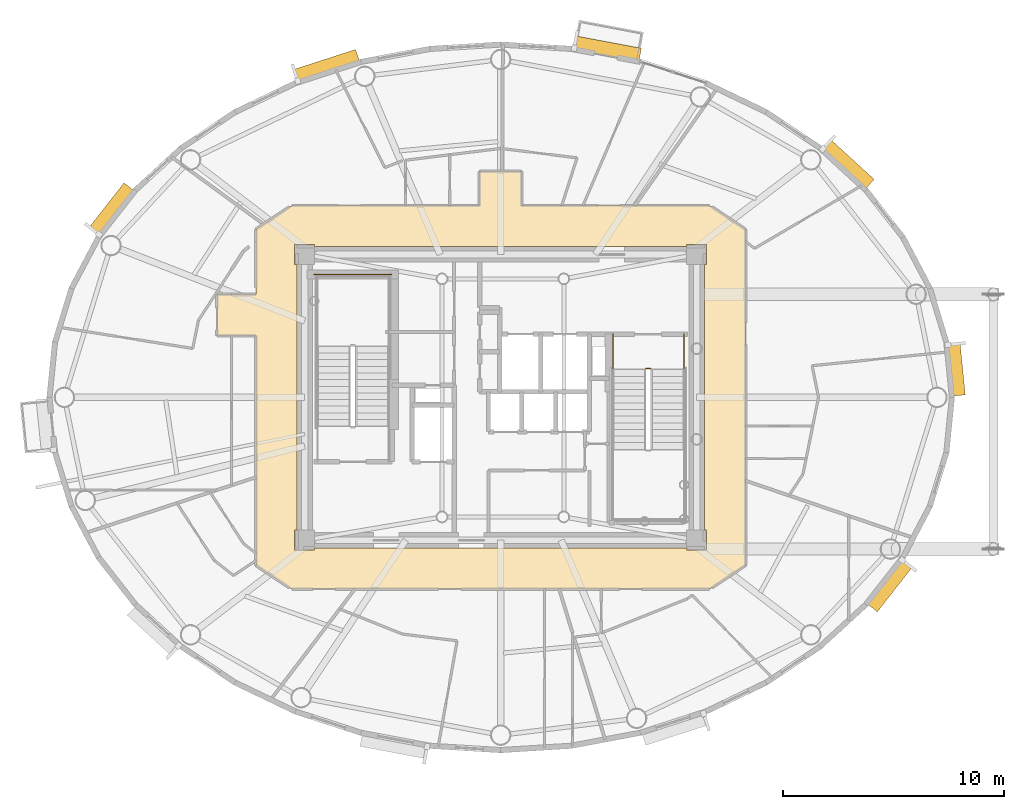
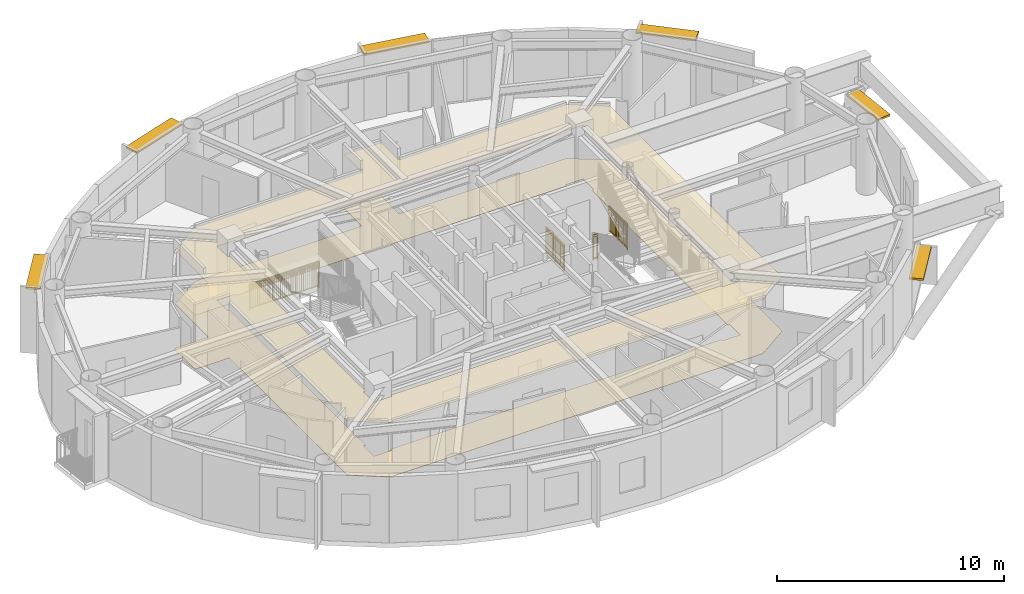
# One storey, part 16 of 17: 6 shading devices, 4 railings, 2 coverings.
"""IFC4 building model written with IfcOpenShell, lengths in metres."""

from ifc_helpers import new_model, si_unit, direction, frame, origin, origin_2d, place, context, subcontext, project, spatial, polyline, rectangle, outline, extrude, source, transform, mapped, material, layer, layer_set, type_object, element, save


model = new_model("IFC4")

# Units and contexts
model_context = context("Model", 3, precision=1e-05, world=origin(), true_north=direction((0.0, 1.0)))
body_context = subcontext(model_context, "Body", "Model", "MODEL_VIEW")
ifc_project = project(units=[si_unit("LENGTHUNIT", "METRE"), si_unit("AREAUNIT", "SQUARE_METRE"), si_unit("VOLUMEUNIT", "CUBIC_METRE"), si_unit("PLANEANGLEUNIT", "RADIAN"), si_unit("MASSUNIT", "GRAM", prefix="KILO")], contexts=[model_context])

# Site, building, storey
site_placement = place(None, origin())
site = spatial("IfcSite", under=ifc_project, at=site_placement, CompositionType="ELEMENT")
building_placement = place(site_placement, origin())
building = spatial("IfcBuilding", under=site, at=building_placement, Name="Linh Dai School and Residence Tower", CompositionType="ELEMENT")
storey_placement = place(building_placement, frame((0.0, 0.0, 335.39990234375)))
storey = spatial("IfcBuildingStorey", under=building, at=storey_placement, Name="L83", CompositionType="ELEMENT", Elevation=335.39990234375)

# Coverings
ifc_material_1 = material(Name="Mineral Fibre Acoustic Suspended Ceiling", Category="masonry")
ifc_layer_1 = layer(ifc_material_1, 0.02001953125)
ifc_layer_set_1 = layer_set([ifc_layer_1], Name="Mineral Fibre Acoustic Suspended Ceiling")
covering_type_1 = type_object("IfcCoveringType", Name="COV-CEIL-AC-20", PredefinedType="CEILING", material=ifc_layer_set_1)
covering_1_placement = place(storey_placement, frame((0.0, 0.0, 2.900146484375)))
element("IfcCovering", 1, at=covering_1_placement, inside=storey, type_object=covering_type_1, Name="L83 Residential Floor Corridor Suspended Ceiling", PredefinedType="CEILING", context=body_context, shape_type="SweptSolid", body=[
    extrude(outline(polyline([(23.199951171875, 31.64990234375), (24.949951171875, 31.64990234375), (24.949951171875, 34.58251953125), (26.458740234375, 35.591796875), (26.580078125, 35.64990234375), (35.050048828125, 35.64990234375), (35.050048828125, 37.199951171875), (36.949951171875, 37.199951171875), (36.949951171875, 35.64990234375), (45.419921875, 35.64990234375), (45.541259765625, 35.591796875), (47.050048828125, 34.58251953125), (47.050048828125, 19.41748046875), (45.541259765625, 18.408203125), (45.419921875, 18.35009765625), (26.580078125, 18.35009765625), (26.458740234375, 18.408203125), (24.949951171875, 19.41748046875), (24.949951171875, 29.800048828125), (23.199951171875, 29.800048828125), (23.199951171875, 31.64990234375)]), holes=[polyline([(27.60009765625, 33.800048828125), (27.60009765625, 33.89990234375), (26.699951171875, 33.89990234375), (26.699951171875, 33.0), (26.800048828125, 33.0), (26.800048828125, 21.0), (26.699951171875, 21.0), (26.699951171875, 20.10009765625), (27.60009765625, 20.10009765625), (27.60009765625, 20.199951171875), (44.39990234375, 20.199951171875), (44.39990234375, 20.10009765625), (45.300048828125, 20.10009765625), (45.300048828125, 21.0), (45.199951171875, 21.0), (45.199951171875, 33.0), (45.300048828125, 33.0), (45.300048828125, 33.89990234375), (44.39990234375, 33.89990234375), (44.39990234375, 33.800048828125), (27.60009765625, 33.800048828125)])]), origin(), (0.0, 0.0, 1.0), 0.02001953125),
])
ifc_material_2 = material(Name="Polished Terrazzo Floor Finish", Category="masonry")
ifc_layer_2 = layer(ifc_material_2, 0.02490234375)
ifc_layer_set_2 = layer_set([ifc_layer_2], Name="Polished Terrazzo Floor Finish")
covering_type_2 = type_object("IfcCoveringType", Name="COV-FLR-TRZ-25", PredefinedType="FLOORING", material=ifc_layer_set_2)
covering_2_placement = place(storey_placement, origin())
element("IfcCovering", 2, at=covering_2_placement, inside=storey, type_object=covering_type_2, Name="L83 Residential Floor Corridor Floor Finish", PredefinedType="FLOORING", context=body_context, shape_type="SweptSolid", body=[
    extrude(outline(polyline([(23.199951171875, 31.64990234375), (24.949951171875, 31.64990234375), (24.949951171875, 34.58251953125), (26.458740234375, 35.591796875), (26.580078125, 35.64990234375), (35.050048828125, 35.64990234375), (35.050048828125, 37.199951171875), (36.949951171875, 37.199951171875), (36.949951171875, 35.64990234375), (45.419921875, 35.64990234375), (45.541259765625, 35.591796875), (47.050048828125, 34.58251953125), (47.050048828125, 19.41748046875), (45.541259765625, 18.408203125), (45.419921875, 18.35009765625), (26.580078125, 18.35009765625), (26.458740234375, 18.408203125), (24.949951171875, 19.41748046875), (24.949951171875, 29.800048828125), (23.199951171875, 29.800048828125), (23.199951171875, 31.64990234375)]), holes=[polyline([(27.60009765625, 33.800048828125), (27.60009765625, 33.89990234375), (26.699951171875, 33.89990234375), (26.699951171875, 33.0), (26.800048828125, 33.0), (26.800048828125, 21.0), (26.699951171875, 21.0), (26.699951171875, 20.10009765625), (27.60009765625, 20.10009765625), (27.60009765625, 20.199951171875), (44.39990234375, 20.199951171875), (44.39990234375, 20.10009765625), (45.300048828125, 20.10009765625), (45.300048828125, 21.0), (45.199951171875, 21.0), (45.199951171875, 33.0), (45.300048828125, 33.0), (45.300048828125, 33.89990234375), (44.39990234375, 33.89990234375), (44.39990234375, 33.800048828125), (27.60009765625, 33.800048828125)])]), origin(), (0.0, 0.0, 1.0), 0.02001953125),
])

# Shading devices
ifc_material_3 = material(Name="Terracotta Ceramic Sunshade", Category="masonry")
ifc_layer_3 = layer(ifc_material_3, 0.10009765625)
ifc_layer_set_3 = layer_set([ifc_layer_3], Name="Terracotta Ceramic Sunshade")
shading_device_type = type_object("IfcShadingDeviceType", Name="SHD-TC-650", PredefinedType="USERDEFINED", material=ifc_layer_set_3)
shared_shape_1 = source(origin(), body_context, "Body", "SweptSolid", [
    extrude(rectangle(XDim=2.3994140625, YDim=0.64990234375, at=origin_2d()), origin(), (0.0, 0.0, 1.0), 0.10009765625),
])
shading_device_1_placement = place(storey_placement, frame((56.53369140625, 28.27197265625, 3.429931640625), z_axis=(0.0, 0.0, 1.0), x_axis=(0.099991763355, -0.994988264886, 0.0)))
element("IfcShadingDevice", 3, at=shading_device_1_placement, inside=storey, type_object=shading_device_type, Name="L83 Terracotta Horizontal Sunshade Band 01", ObjectType="SUNSHADE", PredefinedType="USERDEFINED", context=body_context, shape_type="MappedRepresentation", body=[
    mapped(shared_shape_1, transform((0.0, 0.0, 0.0), x_axis=(1.0, 0.0, 0.0), y_axis=(0.0, 1.0, 0.0), z_axis=(0.0, 0.0, 1.0), scale=1.0)),
])
shared_shape_2 = source(origin(), body_context, "Body", "SweptSolid", [
    extrude(rectangle(XDim=2.7021484375, YDim=0.64990234375, at=origin_2d()), origin(), (0.0, 0.0, 1.0), 0.10009765625),
])
shading_device_2_placement = place(storey_placement, frame((51.6484375, 37.51318359375, 3.429931640625), z_axis=(0.0, 0.0, 1.0), x_axis=(0.73704750866, -0.675840935412, 0.0)))
element("IfcShadingDevice", 4, at=shading_device_2_placement, inside=storey, type_object=shading_device_type, Name="L83 Terracotta Horizontal Sunshade Band 05", ObjectType="SUNSHADE", PredefinedType="USERDEFINED", context=body_context, shape_type="MappedRepresentation", body=[
    mapped(shared_shape_2, transform((0.0, 0.0, 0.0), x_axis=(1.0, 0.0, 0.0), y_axis=(0.0, 1.0, 0.0), z_axis=(0.0, 0.0, 1.0), scale=1.0)),
])
shared_shape_3 = source(origin(), body_context, "Body", "SweptSolid", [
    extrude(rectangle(XDim=3.040283203125, YDim=0.64990234375, at=origin_2d()), origin(), (0.0, 0.0, 1.0), 0.10009765625),
])
shading_device_3_placement = place(storey_placement, frame((40.800537109375, 42.720703125, 3.429931640625), z_axis=(0.0, 0.0, 1.0), x_axis=(0.982779051851, -0.184784564405, 0.0)))
element("IfcShadingDevice", 5, at=shading_device_3_placement, inside=storey, type_object=shading_device_type, Name="L83 Terracotta Horizontal Sunshade Band 09", ObjectType="SUNSHADE", PredefinedType="USERDEFINED", context=body_context, shape_type="MappedRepresentation", body=[
    mapped(shared_shape_3, transform((0.0, 0.0, 0.0), x_axis=(1.0, 0.0, 0.0), y_axis=(0.0, 1.0, 0.0), z_axis=(0.0, 0.0, 1.0), scale=1.0)),
])
shared_shape_4 = source(origin(), body_context, "Body", "SweptSolid", [
    extrude(rectangle(XDim=2.98388671875, YDim=0.64990234375, at=origin_2d()), origin(), (0.0, 0.0, 1.0), 0.10009765625),
])
shading_device_4_placement = place(storey_placement, frame((28.1298828125, 41.939697265625, 3.429931640625), z_axis=(0.0, 0.0, 1.0), x_axis=(0.951203168298, 0.30856528097, 0.0)))
element("IfcShadingDevice", 6, at=shading_device_4_placement, inside=storey, type_object=shading_device_type, Name="L83 Terracotta Horizontal Sunshade Band 13", ObjectType="SUNSHADE", PredefinedType="USERDEFINED", context=body_context, shape_type="MappedRepresentation", body=[
    mapped(shared_shape_4, transform((0.0, 0.0, 0.0), x_axis=(1.0, 0.0, 0.0), y_axis=(0.0, 1.0, 0.0), z_axis=(0.0, 0.0, 1.0), scale=1.0)),
])
shared_shape_5 = source(origin(), body_context, "Body", "SweptSolid", [
    extrude(rectangle(XDim=2.597900390625, YDim=0.64990234375, at=origin_2d()), origin(), (0.0, 0.0, 1.0), 0.10009765625),
])
for number, where, z_axis, x_axis, name in (
    (7, (18.448486328125, 35.4619140625, 3.429931640625), (0.0, 0.0, 1.0), (0.616246583361, 0.787553267085, 0.0), "L83 Terracotta Horizontal Sunshade Band 17"),
    (8, (53.551513671875, 18.5380859375, 1.9150390625), (0.0, 0.0, 1.0), (-0.616246583361, -0.787553267085, 0.0), "L83 Terracotta Horizontal Sunshade Band 37"),
):
    element("IfcShadingDevice", number, at=place(storey_placement, frame(where, z_axis=z_axis, x_axis=x_axis)), inside=storey, type_object=shading_device_type, Name=name, ObjectType="SUNSHADE", PredefinedType="USERDEFINED", context=body_context, shape_type="MappedRepresentation", body=[
        mapped(shared_shape_5, transform((0.0, 0.0, 0.0), x_axis=(1.0, 0.0, 0.0), y_axis=(0.0, 1.0, 0.0), z_axis=(0.0, 0.0, 1.0), scale=1.0)),
    ])

# Railings
ifc_material_4 = material(Name="Structural Steel S355JR", Category="steel")
railing_type = type_object("IfcRailingType", Name="RL-ST-GUARD-1400", PredefinedType="GUARDRAIL", material=ifc_material_4)
shared_shape_6 = source(origin(), body_context, "Body", "SweptSolid", [
    extrude(rectangle(XDim=0.048095703125, YDim=0.048095703125, at=origin_2d()), frame((0.0, 0.0, 1.3759765625), z_axis=(-1.0, 0.0, 0.0), x_axis=(0.0, -1.0, 0.0)), (0.0, 0.0, 1.0), 3.5),
    extrude(rectangle(XDim=0.048095703125, YDim=0.048095703125, at=origin_2d()), frame((0.0, 0.0, 0.10009765625), z_axis=(-1.0, 0.0, 0.0), x_axis=(0.0, -1.0, 0.0)), (0.0, 0.0, 1.0), 3.5),
    extrude(rectangle(XDim=0.030029296875, YDim=0.030029296875, at=origin_2d()), frame((0.0, 0.0, 1.239990234375), z_axis=(-1.0, 0.0, 0.0), x_axis=(0.0, -1.0, 0.0)), (0.0, 0.0, 1.0), 3.5),
    extrude(rectangle(XDim=0.02001953125, YDim=0.02001953125, at=origin_2d()), frame((-0.09716796875, 0.0, 0.10009765625)), (0.0, 0.0, 1.0), 1.251708984375),
    extrude(rectangle(XDim=0.02001953125, YDim=0.02001953125, at=origin_2d()), frame((-0.1943359375, 0.0, 0.10009765625)), (0.0, 0.0, 1.0), 1.251708984375),
    extrude(rectangle(XDim=0.02001953125, YDim=0.02001953125, at=origin_2d()), frame((-0.291748046875, 0.0, 0.10009765625)), (0.0, 0.0, 1.0), 1.251708984375),
    extrude(rectangle(XDim=0.02001953125, YDim=0.02001953125, at=origin_2d()), frame((-0.388916015625, 0.0, 0.10009765625)), (0.0, 0.0, 1.0), 1.251708984375),
    extrude(rectangle(XDim=0.02001953125, YDim=0.02001953125, at=origin_2d()), frame((-0.486083984375, 0.0, 0.10009765625)), (0.0, 0.0, 1.0), 1.251708984375),
    extrude(rectangle(XDim=0.02001953125, YDim=0.02001953125, at=origin_2d()), frame((-0.583251953125, 0.0, 0.10009765625)), (0.0, 0.0, 1.0), 1.251708984375),
    extrude(rectangle(XDim=0.02001953125, YDim=0.02001953125, at=origin_2d()), frame((-0.6806640625, 0.0, 0.10009765625)), (0.0, 0.0, 1.0), 1.251708984375),
    extrude(rectangle(XDim=0.02001953125, YDim=0.02001953125, at=origin_2d()), frame((-0.77783203125, 0.0, 0.10009765625)), (0.0, 0.0, 1.0), 1.251708984375),
    extrude(rectangle(XDim=0.02001953125, YDim=0.02001953125, at=origin_2d()), frame((-0.875, 0.0, 0.10009765625)), (0.0, 0.0, 1.0), 1.251708984375),
    extrude(rectangle(XDim=0.02001953125, YDim=0.02001953125, at=origin_2d()), frame((-0.97216796875, 0.0, 0.10009765625)), (0.0, 0.0, 1.0), 1.251708984375),
    extrude(rectangle(XDim=0.02001953125, YDim=0.02001953125, at=origin_2d()), frame((-1.0693359375, 0.0, 0.10009765625)), (0.0, 0.0, 1.0), 1.251708984375),
    extrude(rectangle(XDim=0.02001953125, YDim=0.02001953125, at=origin_2d()), frame((-1.263916015625, 0.0, 0.10009765625)), (0.0, 0.0, 1.0), 1.251708984375),
    extrude(rectangle(XDim=0.02001953125, YDim=0.02001953125, at=origin_2d()), frame((-1.361083984375, 0.0, 0.10009765625)), (0.0, 0.0, 1.0), 1.251708984375),
    extrude(rectangle(XDim=0.02001953125, YDim=0.02001953125, at=origin_2d()), frame((-1.458251953125, 0.0, 0.10009765625)), (0.0, 0.0, 1.0), 1.251708984375),
    extrude(rectangle(XDim=0.02001953125, YDim=0.02001953125, at=origin_2d()), frame((-1.5556640625, 0.0, 0.10009765625)), (0.0, 0.0, 1.0), 1.251708984375),
    extrude(rectangle(XDim=0.02001953125, YDim=0.02001953125, at=origin_2d()), frame((-1.65283203125, 0.0, 0.10009765625)), (0.0, 0.0, 1.0), 1.251708984375),
    extrude(rectangle(XDim=0.02001953125, YDim=0.02001953125, at=origin_2d()), frame((-1.75, 0.0, 0.10009765625)), (0.0, 0.0, 1.0), 1.251708984375),
    extrude(rectangle(XDim=0.02001953125, YDim=0.02001953125, at=origin_2d()), frame((-1.84716796875, 0.0, 0.10009765625)), (0.0, 0.0, 1.0), 1.251708984375),
    extrude(rectangle(XDim=0.02001953125, YDim=0.02001953125, at=origin_2d()), frame((-1.9443359375, 0.0, 0.10009765625)), (0.0, 0.0, 1.0), 1.251708984375),
    extrude(rectangle(XDim=0.02001953125, YDim=0.02001953125, at=origin_2d()), frame((-2.041748046875, 0.0, 0.10009765625)), (0.0, 0.0, 1.0), 1.251708984375),
    extrude(rectangle(XDim=0.02001953125, YDim=0.02001953125, at=origin_2d()), frame((-2.138916015625, 0.0, 0.10009765625)), (0.0, 0.0, 1.0), 1.251708984375),
    extrude(rectangle(XDim=0.02001953125, YDim=0.02001953125, at=origin_2d()), frame((-2.236083984375, 0.0, 0.10009765625)), (0.0, 0.0, 1.0), 1.251708984375),
    extrude(rectangle(XDim=0.02001953125, YDim=0.02001953125, at=origin_2d()), frame((-2.4306640625, 0.0, 0.10009765625)), (0.0, 0.0, 1.0), 1.251708984375),
    extrude(rectangle(XDim=0.02001953125, YDim=0.02001953125, at=origin_2d()), frame((-2.52783203125, 0.0, 0.10009765625)), (0.0, 0.0, 1.0), 1.251708984375),
    extrude(rectangle(XDim=0.02001953125, YDim=0.02001953125, at=origin_2d()), frame((-2.625, 0.0, 0.10009765625)), (0.0, 0.0, 1.0), 1.251708984375),
    extrude(rectangle(XDim=0.02001953125, YDim=0.02001953125, at=origin_2d()), frame((-2.72216796875, 0.0, 0.10009765625)), (0.0, 0.0, 1.0), 1.251708984375),
    extrude(rectangle(XDim=0.02001953125, YDim=0.02001953125, at=origin_2d()), frame((-2.8193359375, 0.0, 0.10009765625)), (0.0, 0.0, 1.0), 1.251708984375),
    extrude(rectangle(XDim=0.02001953125, YDim=0.02001953125, at=origin_2d()), frame((-2.916748046875, 0.0, 0.10009765625)), (0.0, 0.0, 1.0), 1.251708984375),
    extrude(rectangle(XDim=0.02001953125, YDim=0.02001953125, at=origin_2d()), frame((-3.013916015625, 0.0, 0.10009765625)), (0.0, 0.0, 1.0), 1.251708984375),
    extrude(rectangle(XDim=0.02001953125, YDim=0.02001953125, at=origin_2d()), frame((-3.111083984375, 0.0, 0.10009765625)), (0.0, 0.0, 1.0), 1.251708984375),
    extrude(rectangle(XDim=0.02001953125, YDim=0.02001953125, at=origin_2d()), frame((-3.208251953125, 0.0, 0.10009765625)), (0.0, 0.0, 1.0), 1.251708984375),
    extrude(rectangle(XDim=0.02001953125, YDim=0.02001953125, at=origin_2d()), frame((-3.3056640625, 0.0, 0.10009765625)), (0.0, 0.0, 1.0), 1.251708984375),
    extrude(rectangle(XDim=0.02001953125, YDim=0.02001953125, at=origin_2d()), frame((-3.40283203125, 0.0, 0.10009765625)), (0.0, 0.0, 1.0), 1.251708984375),
    extrude(rectangle(XDim=0.0419921875, YDim=0.0419921875, at=origin_2d()), origin(), (0.0, 0.0, 1.0), 1.3759765625),
    extrude(rectangle(XDim=0.0419921875, YDim=0.0419921875, at=origin_2d()), frame((-1.166748046875, 0.0, 0.0)), (0.0, 0.0, 1.0), 1.3759765625),
    extrude(rectangle(XDim=0.0419921875, YDim=0.0419921875, at=origin_2d()), frame((-2.333251953125, 0.0, 0.0)), (0.0, 0.0, 1.0), 1.3759765625),
    extrude(rectangle(XDim=0.0419921875, YDim=0.0419921875, at=origin_2d()), frame((-3.5, 0.0, 0.0)), (0.0, 0.0, 1.0), 1.3759765625),
])
railing_1_placement = place(storey_placement, frame((31.080078125, 32.550048828125, 0.0)))
element("IfcRailing", 9, at=railing_1_placement, inside=storey, type_object=railing_type, Name="L83 ST1 stair guard 12", PredefinedType="GUARDRAIL", context=body_context, shape_type="MappedRepresentation", body=[
    mapped(shared_shape_6, transform((0.0, 0.0, 0.0), x_axis=(1.0, 0.0, 0.0), y_axis=(0.0, 1.0, 0.0), z_axis=(0.0, 0.0, 1.0), scale=1.0)),
])
shared_shape_7 = source(origin(), body_context, "Body", "SweptSolid", [
    extrude(rectangle(XDim=0.048095703125, YDim=0.048095703125, at=origin_2d()), frame((0.0, 0.0, 1.3759765625), z_axis=(1.0, 0.0, 0.0), x_axis=(0.0, 1.0, 0.0)), (0.0, 0.0, 1.0), 0.199951171875),
    extrude(rectangle(XDim=0.048095703125, YDim=0.048095703125, at=origin_2d()), frame((0.0, 0.0, 0.10009765625), z_axis=(1.0, 0.0, 0.0), x_axis=(0.0, 1.0, 0.0)), (0.0, 0.0, 1.0), 0.199951171875),
    extrude(rectangle(XDim=0.030029296875, YDim=0.030029296875, at=origin_2d()), frame((0.0, 0.0, 1.239990234375), z_axis=(1.0, 0.0, 0.0), x_axis=(0.0, 1.0, 0.0)), (0.0, 0.0, 1.0), 0.199951171875),
    extrude(rectangle(XDim=0.0419921875, YDim=0.0419921875, at=origin_2d()), origin(), (0.0, 0.0, 1.0), 1.3759765625),
    extrude(rectangle(XDim=0.0419921875, YDim=0.0419921875, at=origin_2d()), frame((0.199951171875, 0.0, 0.0)), (0.0, 0.0, 1.0), 1.3759765625),
])
railing_2_placement = place(storey_placement, frame((42.570068359375, 28.300048828125, 0.0)))
element("IfcRailing", 10, at=railing_2_placement, inside=storey, type_object=railing_type, Name="L83 ST2 stair guard 7", PredefinedType="GUARDRAIL", context=body_context, shape_type="MappedRepresentation", body=[
    mapped(shared_shape_7, transform((0.0, 0.0, 0.0), x_axis=(1.0, 0.0, 0.0), y_axis=(0.0, 1.0, 0.0), z_axis=(0.0, 0.0, 1.0), scale=1.0)),
])
shared_shape_8 = source(origin(), body_context, "Body", "SweptSolid", [
    extrude(rectangle(XDim=0.048095703125, YDim=0.048095703125, at=origin_2d()), frame((0.0, 0.0, 1.3759765625), z_axis=(0.0, -1.0, 0.0), x_axis=(1.0, 0.0, 0.0)), (0.0, 0.0, 1.0), 1.60009765625),
    extrude(rectangle(XDim=0.048095703125, YDim=0.048095703125, at=origin_2d()), frame((0.0, 0.0, 0.10009765625), z_axis=(0.0, -1.0, 0.0), x_axis=(1.0, 0.0, 0.0)), (0.0, 0.0, 1.0), 1.60009765625),
    extrude(rectangle(XDim=0.030029296875, YDim=0.030029296875, at=origin_2d()), frame((0.0, 0.0, 1.239990234375), z_axis=(0.0, -1.0, 0.0), x_axis=(1.0, 0.0, 0.0)), (0.0, 0.0, 1.0), 1.60009765625),
    extrude(rectangle(XDim=0.02001953125, YDim=0.02001953125, at=origin_2d()), frame((0.0, -0.09423828125, 0.10009765625)), (0.0, 0.0, 1.0), 1.251708984375),
    extrude(rectangle(XDim=0.02001953125, YDim=0.02001953125, at=origin_2d()), frame((0.0, -0.188232421875, 0.10009765625)), (0.0, 0.0, 1.0), 1.251708984375),
    extrude(rectangle(XDim=0.02001953125, YDim=0.02001953125, at=origin_2d()), frame((0.0, -0.282470703125, 0.10009765625)), (0.0, 0.0, 1.0), 1.251708984375),
    extrude(rectangle(XDim=0.02001953125, YDim=0.02001953125, at=origin_2d()), frame((0.0, -0.37646484375, 0.10009765625)), (0.0, 0.0, 1.0), 1.251708984375),
    extrude(rectangle(XDim=0.02001953125, YDim=0.02001953125, at=origin_2d()), frame((0.0, -0.470703125, 0.10009765625)), (0.0, 0.0, 1.0), 1.251708984375),
    extrude(rectangle(XDim=0.02001953125, YDim=0.02001953125, at=origin_2d()), frame((0.0, -0.564697265625, 0.10009765625)), (0.0, 0.0, 1.0), 1.251708984375),
    extrude(rectangle(XDim=0.02001953125, YDim=0.02001953125, at=origin_2d()), frame((0.0, -0.658935546875, 0.10009765625)), (0.0, 0.0, 1.0), 1.251708984375),
    extrude(rectangle(XDim=0.02001953125, YDim=0.02001953125, at=origin_2d()), frame((0.0, -0.7529296875, 0.10009765625)), (0.0, 0.0, 1.0), 1.251708984375),
    extrude(rectangle(XDim=0.02001953125, YDim=0.02001953125, at=origin_2d()), frame((0.0, -0.84716796875, 0.10009765625)), (0.0, 0.0, 1.0), 1.251708984375),
    extrude(rectangle(XDim=0.02001953125, YDim=0.02001953125, at=origin_2d()), frame((0.0, -0.941162109375, 0.10009765625)), (0.0, 0.0, 1.0), 1.251708984375),
    extrude(rectangle(XDim=0.02001953125, YDim=0.02001953125, at=origin_2d()), frame((0.0, -1.035400390625, 0.10009765625)), (0.0, 0.0, 1.0), 1.251708984375),
    extrude(rectangle(XDim=0.02001953125, YDim=0.02001953125, at=origin_2d()), frame((0.0, -1.12939453125, 0.10009765625)), (0.0, 0.0, 1.0), 1.251708984375),
    extrude(rectangle(XDim=0.02001953125, YDim=0.02001953125, at=origin_2d()), frame((0.0, -1.2236328125, 0.10009765625)), (0.0, 0.0, 1.0), 1.251708984375),
    extrude(rectangle(XDim=0.02001953125, YDim=0.02001953125, at=origin_2d()), frame((0.0, -1.317626953125, 0.10009765625)), (0.0, 0.0, 1.0), 1.251708984375),
    extrude(rectangle(XDim=0.02001953125, YDim=0.02001953125, at=origin_2d()), frame((0.0, -1.411865234375, 0.10009765625)), (0.0, 0.0, 1.0), 1.251708984375),
    extrude(rectangle(XDim=0.02001953125, YDim=0.02001953125, at=origin_2d()), frame((0.0, -1.505859375, 0.10009765625)), (0.0, 0.0, 1.0), 1.251708984375),
    extrude(rectangle(XDim=0.0419921875, YDim=0.0419921875, at=origin_2d()), origin(), (0.0, 0.0, 1.0), 1.3759765625),
    extrude(rectangle(XDim=0.0419921875, YDim=0.0419921875, at=origin_2d()), frame((0.0, -0.800048828125, 0.0)), (0.0, 0.0, 1.0), 1.3759765625),
    extrude(rectangle(XDim=0.0419921875, YDim=0.0419921875, at=origin_2d()), frame((0.0, -1.60009765625, 0.0)), (0.0, 0.0, 1.0), 1.3759765625),
])
for number, where, name in (
    (11, (41.070068359375, 29.85009765625, 0.0), "L83 ST2 stair guard 8"),
    (12, (44.27001953125, 29.85009765625, 0.0), "L83 ST2 stair guard 9"),
):
    element("IfcRailing", number, at=place(storey_placement, frame(where)), inside=storey, type_object=railing_type, Name=name, PredefinedType="GUARDRAIL", context=body_context, shape_type="MappedRepresentation", body=[
        mapped(shared_shape_8, transform((0.0, 0.0, 0.0), x_axis=(1.0, 0.0, 0.0), y_axis=(0.0, 1.0, 0.0), z_axis=(0.0, 0.0, 1.0), scale=1.0)),
    ])

save(model, "model.ifc")
